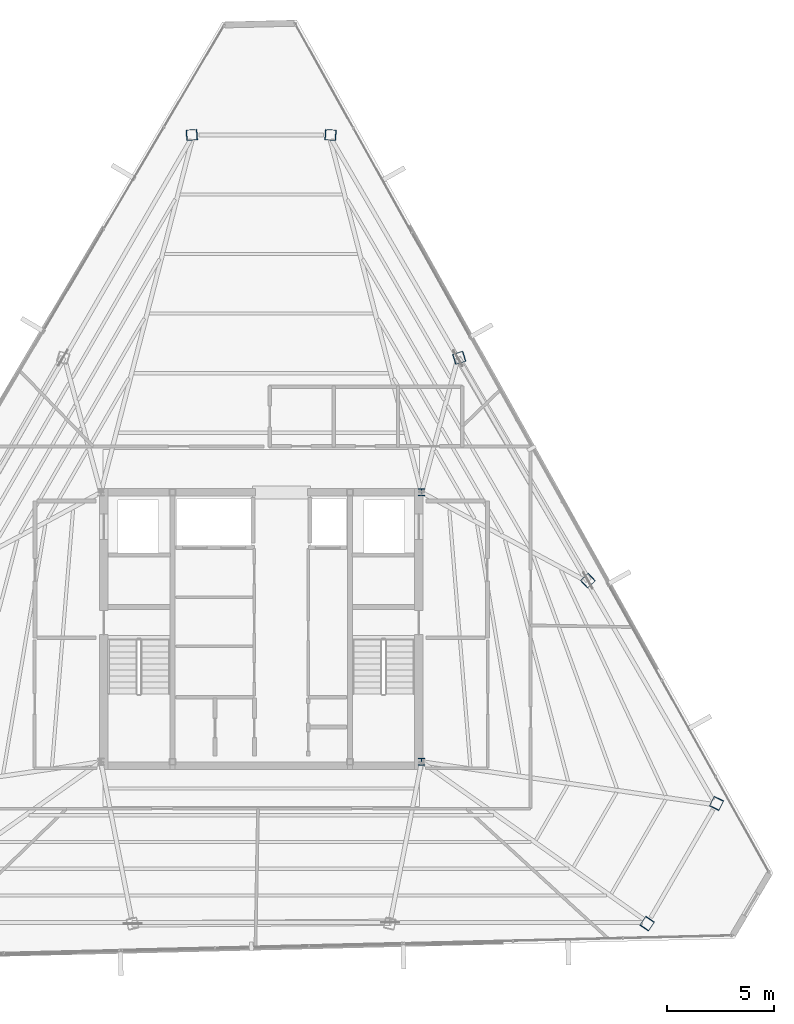
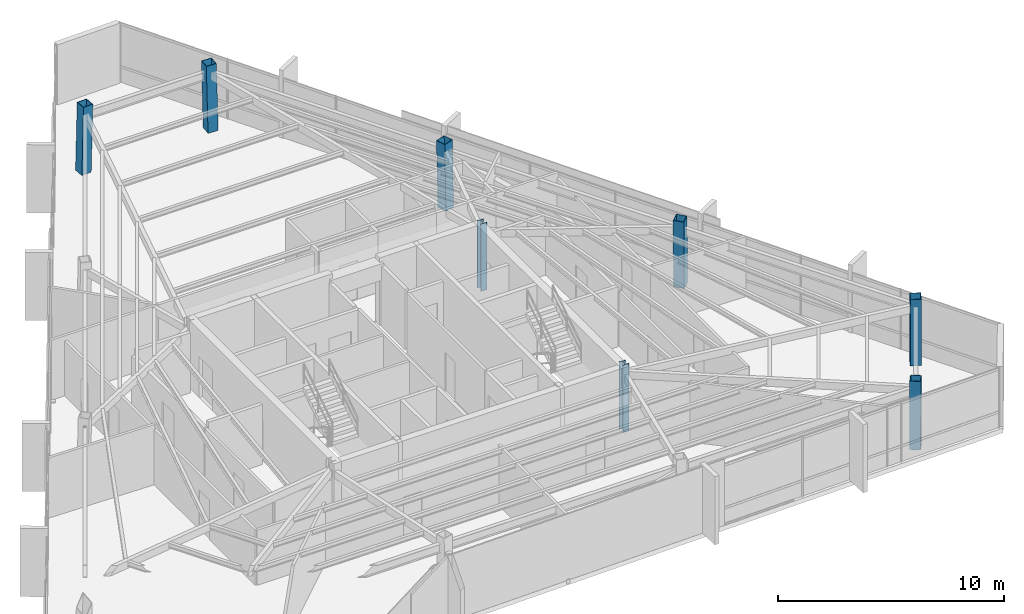
# One storey, part 2 of 44: 8 columns.
"""IFC4 building model written with IfcOpenShell, lengths in metres."""

from ifc_helpers import new_model, si_unit, direction, frame, origin, origin_2d, place, context, subcontext, project, spatial, hollow_rectangle, i_section, extrude, source, transform, mapped, material, material_profile, profile_set, type_object, type_shapes, element, save


model = new_model("IFC4")

# Units and contexts
model_context = context("Model", 3, precision=1e-05, world=origin(), true_north=direction((0.0, 1.0)))
body_context = subcontext(model_context, "Body", "Model", "MODEL_VIEW")
ifc_project = project(units=[si_unit("LENGTHUNIT", "METRE"), si_unit("AREAUNIT", "SQUARE_METRE"), si_unit("VOLUMEUNIT", "CUBIC_METRE"), si_unit("PLANEANGLEUNIT", "RADIAN"), si_unit("MASSUNIT", "GRAM", prefix="KILO")], contexts=[model_context])

# Site, building, storey
site_placement = place(None, origin())
site = spatial("IfcSite", under=ifc_project, at=site_placement, CompositionType="ELEMENT")
building_placement = place(site_placement, origin())
building = spatial("IfcBuilding", under=site, at=building_placement, Name="Caelisora Broadcast Tower", CompositionType="ELEMENT")
storey_placement = place(building_placement, frame((0.0, 0.0, 280.949951171875)))
storey = spatial("IfcBuildingStorey", under=building, at=storey_placement, Name="L74", CompositionType="ELEMENT", Elevation=280.949951171875)

# Columns
ifc_material_1 = material(Name="Steel Grade 350 (AS/NZS 3679.1)", Category="steel")
ifc_material_profile_1 = material_profile(ifc_material_1, i_section(OverallWidth=0.31103515625, OverallDepth=0.3271484375, WebThickness=0.015625, FlangeThickness=0.02490234375, at=origin_2d()), Name="Steel Grade 350 (AS/NZS 3679.1)")
ifc_profile_set_1 = profile_set([ifc_material_profile_1], Name="Steel Grade 350 (AS/NZS 3679.1)")
column_type_1 = type_object("IfcColumnType", Name="CC03", PredefinedType="COLUMN", material=ifc_profile_set_1)
shared_shape_1 = source(origin(), body_context, "Body", "SweptSolid", [
    extrude(i_section(OverallWidth=0.31103515625, OverallDepth=0.3271484375, WebThickness=0.015625, FlangeThickness=0.02490234375, at=origin_2d()), origin(), (0.0, 0.0, 1.0), 3.650146484375),
])
type_shapes(column_type_1, [shared_shape_1])
for number, where, z_axis, x_axis, name in (
    (1, (45.5, 17.39990234375, 0.0), (0.0, 0.0, 1.0), (1.0, 0.0, 0.0), "L74 column CC03"),
    (2, (45.5, 30.0, 0.0), (0.0, 0.0, 1.0), (1.0, 0.0, 0.0), "L74 column CC03"),
):
    element("IfcColumn", number, at=place(storey_placement, frame(where, z_axis=z_axis, x_axis=x_axis)), inside=storey, type_object=column_type_1, Name=name, PredefinedType="COLUMN", context=body_context, shape_type="MappedRepresentation", body=[
        mapped(shared_shape_1, transform((0.0, 0.0, 0.0), scale=1.0)),
    ])
ifc_material_2 = material(Name="Steel Grade 350 L15 (AS/NZS 3678)", Category="steel")
ifc_material_profile_2 = material_profile(ifc_material_2, hollow_rectangle(XDim=0.5, YDim=0.5, WallThickness=0.02001953125, at=origin_2d()), Name="Steel Grade 350 L15 (AS/NZS 3678)")
ifc_profile_set_2 = profile_set([ifc_material_profile_2], Name="Steel Grade 350 L15 (AS/NZS 3678)")
column_type_2 = type_object("IfcColumnType", Name="MC07", PredefinedType="COLUMN", material=ifc_profile_set_2)
shared_shape_2 = source(origin(), body_context, "Body", "SweptSolid", [
    extrude(hollow_rectangle(XDim=0.5, YDim=0.5, WallThickness=0.02001953125, at=origin_2d()), origin(), (0.0, 0.0, 1.0), 3.651123046875),
])
for number, where, z_axis, x_axis, name in (
    (3, (41.259521484375, 46.718017578125, 0.0), (-0.023871161178, 0.00173851594, 0.999713531581), (-0.07263675076, -0.997358462359, 0.0), "L74 column MC07"),
    (4, (34.740478515625, 46.718017578125, 0.0), (0.023871161178, 0.00173851594, 0.999713531581), (-0.07263675076, 0.997358462359, 0.0), "L74 column MC07"),
    (5, (56.04443359375, 9.818115234375, 0.0), (0.013440068782, 0.019792340097, 0.999713772949), (-0.827290216258, 0.561774775229, 0.0), "L74 column MC07"),
    (6, (59.303955078125, 15.4638671875, 0.0), (-0.010364239282, -0.021530871282, 0.999714461297), (0.901042175273, -0.433731481886, 0.0), "L74 column MC07"),
):
    element("IfcColumn", number, at=place(storey_placement, frame(where, z_axis=z_axis, x_axis=x_axis)), inside=storey, type_object=column_type_2, Name=name, PredefinedType="COLUMN", context=body_context, shape_type="MappedRepresentation", body=[
        mapped(shared_shape_2, transform((0.0, 0.0, 0.0), scale=1.0)),
    ])
shared_shape_3 = source(origin(), body_context, "Body", "SweptSolid", [
    extrude(hollow_rectangle(XDim=0.5, YDim=0.5, WallThickness=0.02001953125, at=origin_2d()), origin(), (0.0, 0.0, 1.0), 3.65087890625),
])
type_shapes(column_type_2, [shared_shape_2, shared_shape_3])
for number, where, z_axis, x_axis, name in (
    (7, (53.289306640625, 25.8818359375, 0.0), (-0.014912316331, -0.013775502979, 0.999793907933), (0.678553674548, -0.734550822447, 0.0), "L74 column MC07"),
    (8, (47.2744140625, 36.2998046875, 0.0), (-0.01939269685, -0.00601842316, 0.999793829693), (0.296399214872, -0.955064136811, 0.0), "L74 column MC07"),
):
    element("IfcColumn", number, at=place(storey_placement, frame(where, z_axis=z_axis, x_axis=x_axis)), inside=storey, type_object=column_type_2, Name=name, PredefinedType="COLUMN", context=body_context, shape_type="MappedRepresentation", body=[
        mapped(shared_shape_3, transform((0.0, 0.0, 0.0), scale=1.0)),
    ])

save(model, "model.ifc")
